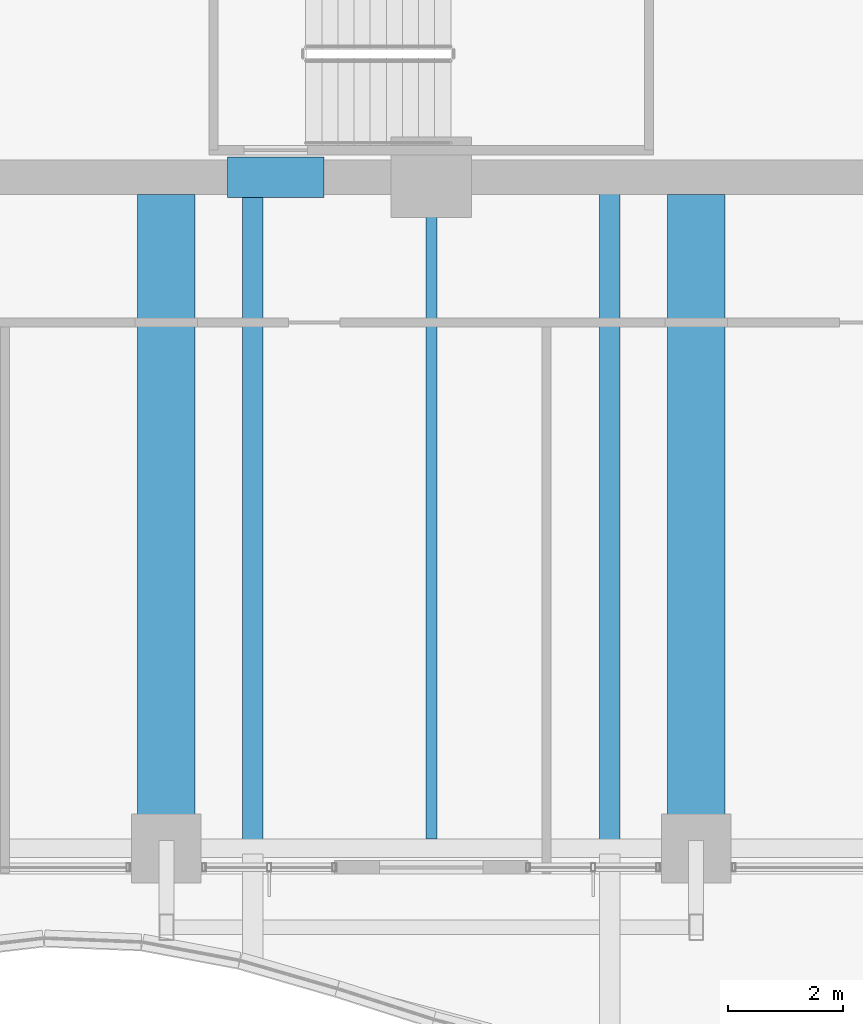
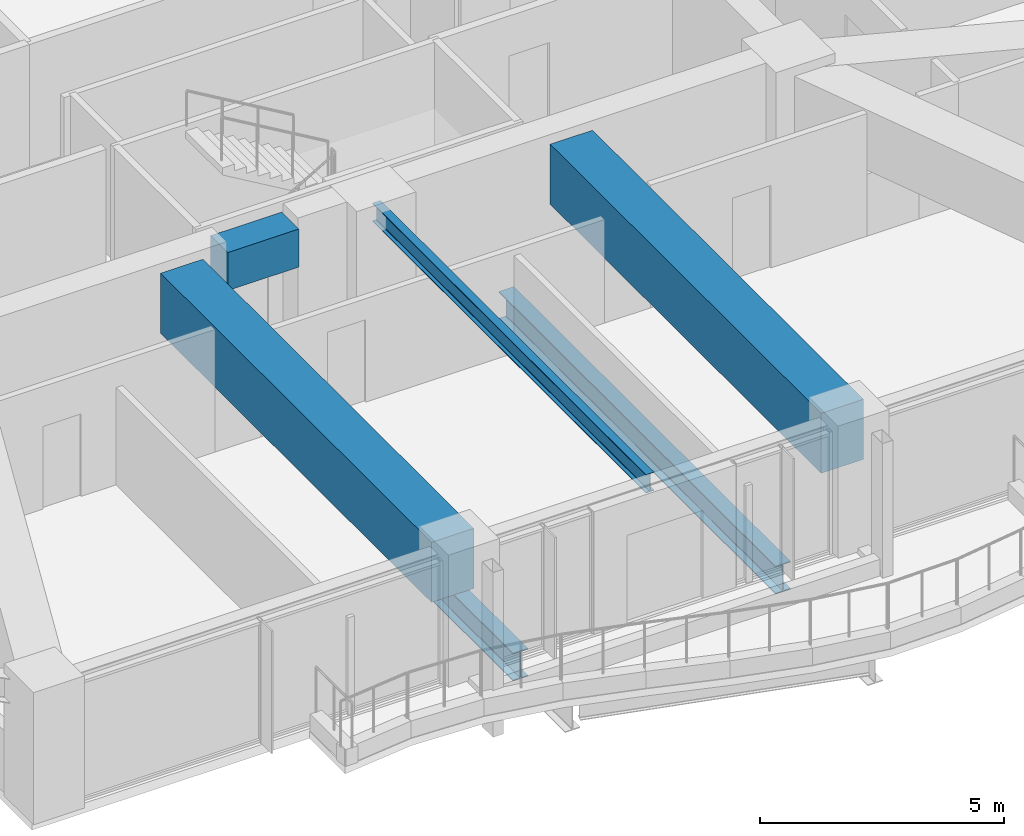
# One storey, part 6 of 37: 6 beams.
"""IFC4 building model written with IfcOpenShell, lengths in metres."""

from ifc_helpers import new_model, si_unit, direction, frame, origin, origin_2d, place, context, subcontext, project, spatial, rectangle, i_section, extrude, material, material_profile, profile_set, type_object, element, save


model = new_model("IFC4")

# Units and contexts
model_context = context("Model", 3, precision=1e-05, world=origin(), true_north=direction((0.0, 1.0)))
body_context = subcontext(model_context, "Body", "Model", "MODEL_VIEW")
ifc_project = project(units=[si_unit("LENGTHUNIT", "METRE"), si_unit("AREAUNIT", "SQUARE_METRE"), si_unit("VOLUMEUNIT", "CUBIC_METRE"), si_unit("PLANEANGLEUNIT", "RADIAN"), si_unit("MASSUNIT", "GRAM", prefix="KILO")], contexts=[model_context])

# Site, building, storey
site_placement = place(None, origin())
site = spatial("IfcSite", under=ifc_project, at=site_placement, CompositionType="ELEMENT")
building_placement = place(site_placement, origin())
building = spatial("IfcBuilding", under=site, at=building_placement, Name="Kolvaren Belvedere", CompositionType="ELEMENT")
storey_placement = place(building_placement, frame((0.0, 0.0, 43.60009765625)))
storey = spatial("IfcBuildingStorey", under=building, at=storey_placement, Name="L12", CompositionType="ELEMENT", Elevation=43.60009765625)

# Beams
ifc_material_1 = material(Name="Structural steel ASTM A992 Grade 50", Category="steel")
ifc_material_profile_1 = material_profile(ifc_material_1, i_section(OverallWidth=0.35498046875, OverallDepth=0.696044921875, WebThickness=0.015380859375, FlangeThickness=0.02490234375, FilletRadius=0.02197265625, at=origin_2d()), Name="W27X146")
ifc_profile_set_1 = profile_set([ifc_material_profile_1], Name="Structural steel ASTM A992 Grade 50")
beam_type_1 = type_object("IfcBeamType", Name="BM-GIRD-W27X146", PredefinedType="BEAM", material=ifc_profile_set_1)
for number, where, z_axis, x_axis, name in (
    (1, (-3.10009765625, -10.139892578125, -0.588134765625), (0.0, -1.0, 0.0), (1.0, 0.0, 0.0), "L12 Balcony Interior Back-Span Girder BAL-S-1"),
    (2, (3.10009765625, -10.139892578125, -0.588134765625), (0.0, -1.0, 0.0), (1.0, 0.0, 0.0), "L12 Balcony Interior Back-Span Girder BAL-S-2"),
):
    element("IfcBeam", number, at=place(storey_placement, frame(where, z_axis=z_axis, x_axis=x_axis)), inside=storey, type_object=beam_type_1, Name=name, PredefinedType="BEAM", context=body_context, shape_type="SweptSolid", body=[
        extrude(i_section(OverallWidth=0.35498046875, OverallDepth=0.696044921875, WebThickness=0.015380859375, FlangeThickness=0.02490234375, FilletRadius=0.02197265625, at=origin_2d()), origin(), (0.0, 0.0, 1.0), 11.315185546875),
    ])
ifc_material_2 = material(Name="Structural steel ASTM A992 Grade 50", Category="steel")
ifc_material_profile_2 = material_profile(ifc_material_2, i_section(OverallWidth=0.19091796875, OverallDepth=0.4599609375, WebThickness=0.010009765625, FlangeThickness=0.01611328125, FilletRadius=0.014892578125, at=origin_2d()), Name="W18X55")
ifc_profile_set_2 = profile_set([ifc_material_profile_2], Name="Structural steel ASTM A992 Grade 50")
beam_type_2 = type_object("IfcBeamType", Name="BM-JOIST-W18X55", PredefinedType="BEAM", material=ifc_profile_set_2)
beam_1_placement = place(storey_placement, frame((0.0, -10.199951171875, 2.829833984375), z_axis=(0.0, -1.0, 0.0), x_axis=(1.0, 0.0, 0.0)))
element("IfcBeam", 3, at=beam_1_placement, inside=storey, type_object=beam_type_2, Name="L12 South Centre Floor Beam", PredefinedType="BEAM", context=body_context, shape_type="SweptSolid", body=[
    extrude(i_section(OverallWidth=0.19091796875, OverallDepth=0.4599609375, WebThickness=0.010009765625, FlangeThickness=0.01611328125, FilletRadius=0.014892578125, at=origin_2d()), origin(), (0.0, 0.0, 1.0), 11.1875),
])
ifc_material_3 = material(Name="Concrete C60/75", Category="concrete")
ifc_material_profile_3 = material_profile(ifc_material_3, rectangle(XDim=0.699951171875, YDim=0.949951171875, at=origin_2d()), Name="RC 700X950")
ifc_profile_set_3 = profile_set([ifc_material_profile_3], Name="Concrete C60/75")
beam_type_3 = type_object("IfcBeamType", Name="BM-LINT-950", PredefinedType="LINTEL", material=ifc_profile_set_3)
beam_2_placement = place(storey_placement, frame((-3.5400390625, -9.89990234375, 2.5849609375), z_axis=(1.0, 0.0, 0.0), x_axis=(0.0, 1.0, 0.0)))
element("IfcBeam", 4, at=beam_2_placement, inside=storey, type_object=beam_type_3, Name="L12 South Core Coupling Lintel", PredefinedType="LINTEL", context=body_context, shape_type="SweptSolid", body=[
    extrude(rectangle(XDim=0.699951171875, YDim=0.949951171875, at=origin_2d()), origin(), (0.0, 0.0, 1.0), 1.679931640625),
])
ifc_material_4 = material(Name="Concrete C50/60", Category="concrete")
ifc_material_profile_4 = material_profile(ifc_material_4, rectangle(XDim=1.0, YDim=1.5, at=origin_2d()), Name="RC 1000X1500")
ifc_profile_set_4 = profile_set([ifc_material_profile_4], Name="Concrete C50/60")
beam_type_4 = type_object("IfcBeamType", Name="BM-TG-1500", PredefinedType="BEAM", material=ifc_profile_set_4)
for number, where, z_axis, x_axis, name in (
    (5, (4.60009765625, -10.199951171875, 2.309814453125), (0.0, -1.0, 0.0), (1.0, 0.0, 0.0), "L12 South Radial Girder P"),
    (6, (-4.60009765625, -10.199951171875, 2.309814453125), (0.0, -1.0, 0.0), (1.0, 0.0, 0.0), "L12 South Radial Girder M"),
):
    element("IfcBeam", number, at=place(storey_placement, frame(where, z_axis=z_axis, x_axis=x_axis)), inside=storey, type_object=beam_type_4, Name=name, PredefinedType="BEAM", context=body_context, shape_type="SweptSolid", body=[
        extrude(rectangle(XDim=1.0, YDim=1.5, at=origin_2d()), origin(), (0.0, 0.0, 1.0), 11.080078125),
    ])

save(model, "model.ifc")
